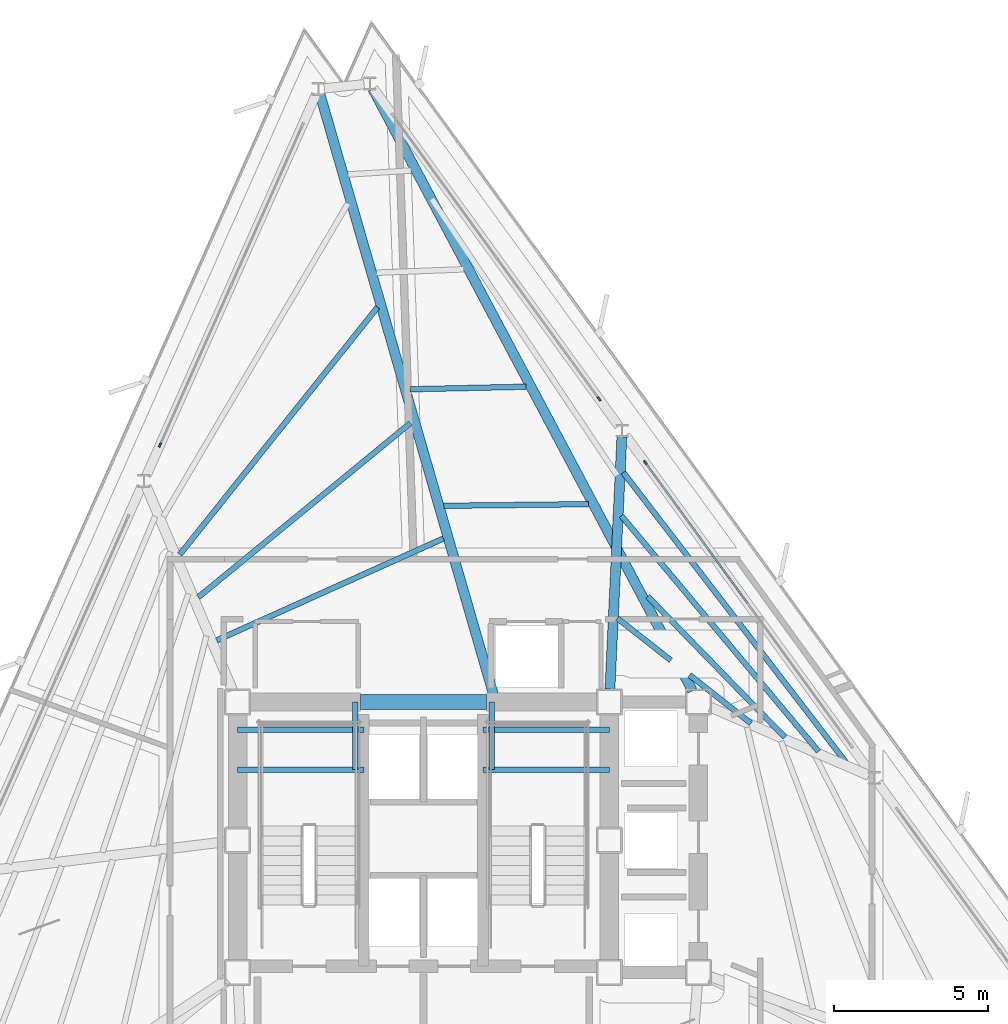
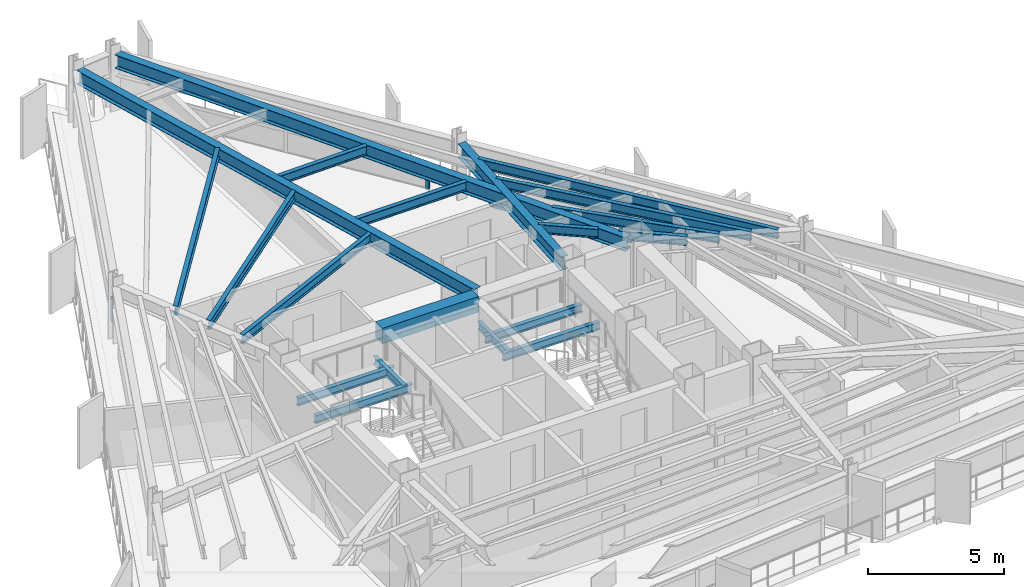
# One storey, part 4 of 13: 20 beams, 5 members, 3 elements without a shape of their own.
"""IFC4 building model written with IfcOpenShell, lengths in metres."""

from ifc_helpers import new_model, si_unit, direction, frame, origin, origin_2d, place, context, subcontext, project, spatial, rectangle, i_section, extrude, material, layer, layer_set, material_profile, profile_set, type_object, element, aggregate, save


model = new_model("IFC4")

# Units and contexts
model_context = context("Model", 3, precision=1e-05, world=origin(), true_north=direction((0.0, 1.0)))
body_context = subcontext(model_context, "Body", "Model", "MODEL_VIEW")
ifc_project = project(units=[si_unit("LENGTHUNIT", "METRE"), si_unit("AREAUNIT", "SQUARE_METRE"), si_unit("VOLUMEUNIT", "CUBIC_METRE"), si_unit("PLANEANGLEUNIT", "RADIAN"), si_unit("MASSUNIT", "GRAM", prefix="KILO")], contexts=[model_context])

# Site, building, storey
site_placement = place(None, origin())
site = spatial("IfcSite", under=ifc_project, at=site_placement, CompositionType="ELEMENT")
building_placement = place(site_placement, origin())
building = spatial("IfcBuilding", under=site, at=building_placement, Name="Rocaltana Carrier Exchange", CompositionType="ELEMENT")
storey_placement = place(building_placement, frame((0.0, 0.0, 122.8798828125)))
storey = spatial("IfcBuildingStorey", under=building, at=storey_placement, Name="L38", CompositionType="ELEMENT", Elevation=122.8798828125)

# Curtain wall, member
ifc_material_1 = material(Name="Aluminium 6063-T6", Category="aluminium")
ifc_layer = layer(ifc_material_1, 0.14990234375)
ifc_layer_set = layer_set([ifc_layer], Name="Aluminium 6063-T6")
curtain_wall_type = type_object("IfcCurtainWallType", Name="Mid-Tower Unitised Curtain Wall CW-03", PredefinedType="NOTDEFINED", material=ifc_layer_set)
curtain_wall_1_placement = place(storey_placement, origin())
curtain_wall_1 = element("IfcCurtainWall", 1, at=curtain_wall_1_placement, inside=storey, type_object=curtain_wall_type, Name="L38 CW-03 Run CW-L38-F1S2", PredefinedType="NOTDEFINED")
ifc_material_2 = material(Name="Aluminium 6063-T6", Category="aluminium")
ifc_material_profile_1 = material_profile(ifc_material_2, rectangle(XDim=0.06005859375, YDim=0.14990234375, at=origin_2d()), Name="AL-60X150")
ifc_profile_set_1 = profile_set([ifc_material_profile_1], Name="Aluminium 6063-T6")
member_type_1 = type_object("IfcMemberType", Name="CW-03 Mullion AL-60X150", PredefinedType="MULLION", material=ifc_profile_set_1)
member_1_placement = place(storey_placement, frame((7.22021484375, 12.29541015625, 0.0), z_axis=(0.0, 0.0, 1.0), x_axis=(-0.809013555195, -0.587789985889, 0.0)))
member_1 = element("IfcMember", 2, at=member_1_placement, type_object=member_type_1, Name="CW-03 mullion 3", PredefinedType="MULLION", context=body_context, shape_type="SweptSolid", body=[
    extrude(rectangle(XDim=0.06005859375, YDim=0.14990234375, at=origin_2d()), origin(), (0.0, 0.0, 1.0), 1.078125),
])

curtain_wall_2_placement = place(storey_placement, origin())
curtain_wall_2 = element("IfcCurtainWall", 3, at=curtain_wall_2_placement, inside=storey, type_object=curtain_wall_type, Name="L38 CW-03 Run CW-L38-F1S3", PredefinedType="NOTDEFINED")
member_2_placement = place(storey_placement, frame((5.715576171875, 14.366455078125, 0.0), z_axis=(0.0, 0.0, 1.0), x_axis=(-0.809013555195, -0.587789985889, 0.0)))
member_2 = element("IfcMember", 4, at=member_2_placement, type_object=member_type_1, Name="CW-03 mullion 1", PredefinedType="MULLION", context=body_context, shape_type="SweptSolid", body=[
    extrude(rectangle(XDim=0.06005859375, YDim=0.14990234375, at=origin_2d()), origin(), (0.0, 0.0, 1.0), 1.078125),
])
aggregate(curtain_wall_2, [member_2])

curtain_wall_3_placement = place(storey_placement, origin())
curtain_wall_3 = element("IfcCurtainWall", 5, at=curtain_wall_3_placement, inside=storey, type_object=curtain_wall_type, Name="L38 CW-03 Run CW-L38-F2S1", PredefinedType="NOTDEFINED")
member_3_placement = place(storey_placement, frame((-8.577392578125, 12.8642578125, 0.0), z_axis=(0.0, 0.0, 1.0), x_axis=(0.913543791084, -0.406740386206, 0.0)))
member_3 = element("IfcMember", 6, at=member_3_placement, type_object=member_type_1, Name="CW-03 mullion 3", PredefinedType="MULLION", context=body_context, shape_type="SweptSolid", body=[
    extrude(rectangle(XDim=0.06005859375, YDim=0.14990234375, at=origin_2d()), origin(), (0.0, 0.0, 1.0), 1.078125),
])
aggregate(curtain_wall_3, [member_3])

# Member
ifc_material_3 = material(Name="Aluminium 6063-T6", Category="aluminium")
ifc_material_profile_2 = material_profile(ifc_material_3, rectangle(XDim=0.06005859375, YDim=0.14990234375, at=origin_2d()), Name="AL-60X150")
ifc_profile_set_2 = profile_set([ifc_material_profile_2], Name="Aluminium 6063-T6")
member_type_2 = type_object("IfcMemberType", Name="CW-03 Transom AL-60X150", PredefinedType="USERDEFINED", material=ifc_profile_set_2)
member_4_placement = place(storey_placement, frame((10.554931640625, 7.70556640625, 0.030029296875), z_axis=(-0.58778321885, 0.809018471753, 0.0), x_axis=(-0.809018471753, -0.58778321885, 0.0)))
member_4 = element("IfcMember", 7, at=member_4_placement, type_object=member_type_2, Name="CW-03 transom 2.1", ObjectType="TRANSOM", PredefinedType="USERDEFINED", context=body_context, shape_type="SweptSolid", body=[
    extrude(rectangle(XDim=0.06005859375, YDim=0.14990234375, at=origin_2d()), origin(), (0.0, 0.0, 1.0), 5.6435546875),
])

member_5_placement = place(storey_placement, frame((10.554931640625, 7.70556640625, 1.048095703125), z_axis=(-0.58778321885, 0.809018471753, 0.0), x_axis=(-0.809018471753, -0.58778321885, 0.0)))
member_5 = element("IfcMember", 8, at=member_5_placement, type_object=member_type_2, Name="CW-03 transom 2.2", ObjectType="TRANSOM", PredefinedType="USERDEFINED", context=body_context, shape_type="SweptSolid", body=[
    extrude(rectangle(XDim=0.06005859375, YDim=0.14990234375, at=origin_2d()), origin(), (0.0, 0.0, 1.0), 5.6435546875),
])

aggregate(curtain_wall_1, [member_1, member_4, member_5])

# Beams
ifc_material_4 = material(Name="Concrete C60/75", Category="concrete")
ifc_material_profile_3 = material_profile(ifc_material_4, rectangle(XDim=0.5, YDim=0.699951171875, at=origin_2d()), Name="RC-BM-500X700")
ifc_profile_set_3 = profile_set([ifc_material_profile_3], Name="Concrete C60/75")
beam_type_1 = type_object("IfcBeamType", Name="Core Coupling Lintel 500x700", PredefinedType="LINTEL", material=ifc_profile_set_3)
beam_1_placement = place(storey_placement, frame((-2.050048828125, 4.5, 2.26806640625), z_axis=(1.0, 0.0, 0.0), x_axis=(0.0, 1.0, 0.0)))
element("IfcBeam", 9, at=beam_1_placement, inside=storey, type_object=beam_type_1, Name="L38 Core Coupling Lintel CL-N", PredefinedType="LINTEL", context=body_context, shape_type="SweptSolid", body=[
    extrude(rectangle(XDim=0.5, YDim=0.699951171875, at=origin_2d()), origin(), (0.0, 0.0, 1.0), 4.10009765625),
])
ifc_material_5 = material(Name="Steel S355", Category="steel")
ifc_material_profile_4 = material_profile(ifc_material_5, i_section(OverallWidth=0.172119140625, OverallDepth=0.35791015625, WebThickness=0.0078125, FlangeThickness=0.01318359375, FilletRadius=0.011962890625, at=origin_2d()), Name="W14X38")
ifc_profile_set_4 = profile_set([ifc_material_profile_4], Name="Steel S355")
beam_type_2 = type_object("IfcBeamType", Name="Floor Joist W14X38", PredefinedType="JOIST", material=ifc_profile_set_4)
for number, where, z_axis, x_axis, name in (
    (10, (-6.050048828125, 2.300048828125, 1.14111328125), (1.0, 0.0, 0.0), (0.0, 1.0, 0.0), "L38 ST-1 Landing Carrier 1"),
    (11, (1.93994140625, 2.300048828125, 1.14111328125), (1.0, 0.0, 0.0), (0.0, 1.0, 0.0), "L38 ST-2 Landing Carrier 1"),
    (12, (-6.050048828125, 3.60009765625, 1.14111328125), (1.0, 0.0, 0.0), (0.0, 1.0, 0.0), "L38 ST-1 Landing Carrier 2"),
    (13, (1.93994140625, 3.60009765625, 1.14111328125), (1.0, 0.0, 0.0), (0.0, 1.0, 0.0), "L38 ST-2 Landing Carrier 2"),
):
    element("IfcBeam", number, at=place(storey_placement, frame(where, z_axis=z_axis, x_axis=x_axis)), inside=storey, type_object=beam_type_2, Name=name, PredefinedType="JOIST", context=body_context, shape_type="SweptSolid", body=[
        extrude(i_section(OverallWidth=0.172119140625, OverallDepth=0.35791015625, WebThickness=0.0078125, FlangeThickness=0.01318359375, FilletRadius=0.011962890625, at=origin_2d()), origin(), (0.0, 0.0, 1.0), 4.110107421875),
    ])
for number, where, z_axis, x_axis, name in (
    (14, (-2.219970703125, 2.300048828125, 1.14111328125), (0.0, 1.0, 0.0), (-1.0, 0.0, 0.0), "L38 ST-1 Landing Cross Trimmer"),
    (15, (2.219970703125, 2.300048828125, 1.14111328125), (0.0, 1.0, 0.0), (-1.0, 0.0, 0.0), "L38 ST-2 Landing Cross Trimmer"),
):
    element("IfcBeam", number, at=place(storey_placement, frame(where, z_axis=z_axis, x_axis=x_axis)), inside=storey, type_object=beam_type_2, Name=name, PredefinedType="JOIST", context=body_context, shape_type="SweptSolid", body=[
        extrude(i_section(OverallWidth=0.172119140625, OverallDepth=0.35791015625, WebThickness=0.0078125, FlangeThickness=0.01318359375, FilletRadius=0.011962890625, at=origin_2d()), origin(), (0.0, 0.0, 1.0), 2.199951171875),
    ])
ifc_material_6 = material(Name="Steel S355", Category="steel")
ifc_material_profile_5 = material_profile(ifc_material_6, i_section(OverallWidth=0.179931640625, OverallDepth=0.4130859375, WebThickness=0.009765625, FlangeThickness=0.01611328125, FilletRadius=0.012939453125, at=origin_2d()), Name="W16X50")
ifc_profile_set_5 = profile_set([ifc_material_profile_5], Name="Steel S355")
beam_type_3 = type_object("IfcBeamType", Name="Floor Joist W16X50", PredefinedType="JOIST", material=ifc_profile_set_5)
beam_2_placement = place(storey_placement, frame((10.66015625, 3.806640625, 2.41162109375), z_axis=(-0.786171683664, 0.618008158365, 0.0), x_axis=(-0.618008158365, -0.786171683664, 0.0)))
element("IfcBeam", 16, at=beam_2_placement, inside=storey, type_object=beam_type_3, Name="FJ-L38-02-1S1", PredefinedType="JOIST", context=body_context, shape_type="SweptSolid", body=[
    extrude(i_section(OverallWidth=0.179931640625, OverallDepth=0.4130859375, WebThickness=0.009765625, FlangeThickness=0.01611328125, FilletRadius=0.012939453125, at=origin_2d()), origin(), (0.0, 0.0, 1.0), 2.5419921875),
])
beam_3_placement = place(storey_placement, frame((8.051025390625, 5.85791015625, 2.41162109375), z_axis=(-0.786142704991, 0.61804502052, 0.0), x_axis=(-0.61804502052, -0.786142704991, 0.0)))
element("IfcBeam", 17, at=beam_3_placement, inside=storey, type_object=beam_type_3, Name="FJ-L38-02-1S2", PredefinedType="JOIST", context=body_context, shape_type="SweptSolid", body=[
    extrude(i_section(OverallWidth=0.179931640625, OverallDepth=0.4130859375, WebThickness=0.009765625, FlangeThickness=0.01611328125, FilletRadius=0.012939453125, at=origin_2d()), origin(), (0.0, 0.0, 1.0), 2.21923828125),
])
beam_4_placement = place(storey_placement, frame((11.76220703125, 3.35302734375, 2.41162109375), z_axis=(-0.697417522087, 0.716665054182, 0.0), x_axis=(-0.716665054182, -0.697417522087, 0.0)))
element("IfcBeam", 18, at=beam_4_placement, inside=storey, type_object=beam_type_3, Name="FJ-L38-02-2", PredefinedType="JOIST", context=body_context, shape_type="SweptSolid", body=[
    extrude(i_section(OverallWidth=0.179931640625, OverallDepth=0.4130859375, WebThickness=0.009765625, FlangeThickness=0.01611328125, FilletRadius=0.012939453125, at=origin_2d()), origin(), (0.0, 0.0, 1.0), 6.392822265625),
])
beam_5_placement = place(storey_placement, frame((12.85888671875, 2.891845703125, 2.41162109375), z_axis=(-0.641626502417, 0.767017230182, 0.0), x_axis=(-0.767017230182, -0.641626502417, 0.0)))
element("IfcBeam", 19, at=beam_5_placement, inside=storey, type_object=beam_type_3, Name="FJ-L38-02-3", PredefinedType="JOIST", context=body_context, shape_type="SweptSolid", body=[
    extrude(i_section(OverallWidth=0.179931640625, OverallDepth=0.4130859375, WebThickness=0.009765625, FlangeThickness=0.01611328125, FilletRadius=0.012939453125, at=origin_2d()), origin(), (0.0, 0.0, 1.0), 10.0),
])
beam_6_placement = place(storey_placement, frame((13.7802734375, 2.5009765625, 2.41162109375), z_axis=(-0.60925224181, 0.792976485054, 0.0), x_axis=(-0.792976485054, -0.60925224181, 0.0)))
element("IfcBeam", 20, at=beam_6_placement, inside=storey, type_object=beam_type_3, Name="FJ-L38-02-4", PredefinedType="JOIST", context=body_context, shape_type="SweptSolid", body=[
    extrude(i_section(OverallWidth=0.179931640625, OverallDepth=0.4130859375, WebThickness=0.009765625, FlangeThickness=0.01611328125, FilletRadius=0.012939453125, at=origin_2d()), origin(), (0.0, 0.0, 1.0), 11.9423828125),
])
beam_7_placement = place(storey_placement, frame((5.372802734375, 10.93994140625, 2.41162109375), z_axis=(-0.999937391673, -0.01118984958, 0.0), x_axis=(0.01118984958, -0.999937391673, 0.0)))
element("IfcBeam", 21, at=beam_7_placement, inside=storey, type_object=beam_type_3, Name="FJ-L38-04-1", PredefinedType="JOIST", context=body_context, shape_type="SweptSolid", body=[
    extrude(i_section(OverallWidth=0.179931640625, OverallDepth=0.4130859375, WebThickness=0.009765625, FlangeThickness=0.01611328125, FilletRadius=0.012939453125, at=origin_2d()), origin(), (0.0, 0.0, 1.0), 4.712646484375),
])
beam_8_placement = place(storey_placement, frame((3.34130859375, 14.762939453125, 2.41162109375), z_axis=(-0.999758539531, -0.02197413559, 0.0), x_axis=(0.02197413559, -0.999758539531, 0.0)))
element("IfcBeam", 22, at=beam_8_placement, inside=storey, type_object=beam_type_3, Name="FJ-L38-04-2", PredefinedType="JOIST", context=body_context, shape_type="SweptSolid", body=[
    extrude(i_section(OverallWidth=0.179931640625, OverallDepth=0.4130859375, WebThickness=0.009765625, FlangeThickness=0.01611328125, FilletRadius=0.012939453125, at=origin_2d()), origin(), (0.0, 0.0, 1.0), 3.777587890625),
])
beam_9_placement = place(storey_placement, frame((0.650390625, 9.82373046875, 2.41162109375), z_axis=(-0.912122924313, -0.409916785388, 0.0), x_axis=(0.409916785388, -0.912122924313, 0.0)))
element("IfcBeam", 23, at=beam_9_placement, inside=storey, type_object=beam_type_3, Name="FJ-L38-05-1", PredefinedType="JOIST", context=body_context, shape_type="SweptSolid", body=[
    extrude(i_section(OverallWidth=0.179931640625, OverallDepth=0.4130859375, WebThickness=0.009765625, FlangeThickness=0.01611328125, FilletRadius=0.012939453125, at=origin_2d()), origin(), (0.0, 0.0, 1.0), 8.09228515625),
])
beam_10_placement = place(storey_placement, frame((-0.423583984375, 13.579833984375, 2.41162109375), z_axis=(-0.772904703417, -0.634522118949, 0.0), x_axis=(0.634522118949, -0.772904703417, 0.0)))
element("IfcBeam", 24, at=beam_10_placement, inside=storey, type_object=beam_type_3, Name="FJ-L38-05-2", PredefinedType="JOIST", context=body_context, shape_type="SweptSolid", body=[
    extrude(i_section(OverallWidth=0.179931640625, OverallDepth=0.4130859375, WebThickness=0.009765625, FlangeThickness=0.01611328125, FilletRadius=0.012939453125, at=origin_2d()), origin(), (0.0, 0.0, 1.0), 8.937744140625),
])
beam_11_placement = place(storey_placement, frame((-1.49609375, 17.348388671875, 2.41162109375), z_axis=(-0.624570833633, -0.78096816438, 0.0), x_axis=(0.78096816438, -0.624570833633, 0.0)))
element("IfcBeam", 25, at=beam_11_placement, inside=storey, type_object=beam_type_3, Name="FJ-L38-05-3", PredefinedType="JOIST", context=body_context, shape_type="SweptSolid", body=[
    extrude(i_section(OverallWidth=0.179931640625, OverallDepth=0.4130859375, WebThickness=0.009765625, FlangeThickness=0.01611328125, FilletRadius=0.012939453125, at=origin_2d()), origin(), (0.0, 0.0, 1.0), 10.307373046875),
])
ifc_material_7 = material(Name="Steel S355", Category="steel")
ifc_material_profile_6 = material_profile(ifc_material_7, i_section(OverallWidth=0.323974609375, OverallDepth=0.611083984375, WebThickness=0.0126953125, FlangeThickness=0.01904296875, FilletRadius=0.01611328125, at=origin_2d()), Name="W24X104")
ifc_profile_set_6 = profile_set([ifc_material_profile_6], Name="Steel S355")
beam_type_4 = type_object("IfcBeamType", Name="Radial Girder W24X104", PredefinedType="BEAM", material=ifc_profile_set_6)
beam_12_placement = place(storey_placement, frame((6.069580078125, 4.91650390625, 2.3125), z_axis=(0.047262084461, 0.998882523309, 0.0), x_axis=(-0.998882523309, 0.047262084461, 0.0)))
element("IfcBeam", 26, at=beam_12_placement, inside=storey, type_object=beam_type_4, Name="RG-L38-03", PredefinedType="BEAM", context=body_context, shape_type="SweptSolid", body=[
    extrude(i_section(OverallWidth=0.323974609375, OverallDepth=0.611083984375, WebThickness=0.0126953125, FlangeThickness=0.01904296875, FilletRadius=0.01611328125, at=origin_2d()), origin(), (0.0, 0.0, 1.0), 8.22900390625),
])
beam_13_placement = place(storey_placement, frame((8.75439453125, 4.868408203125, 2.3125), z_axis=(-0.469069652013, 0.883161175302, 0.0), x_axis=(-0.883161175302, -0.469069652013, 0.0)))
element("IfcBeam", 27, at=beam_13_placement, inside=storey, type_object=beam_type_4, Name="RG-L38-04", PredefinedType="BEAM", context=body_context, shape_type="SweptSolid", body=[
    extrude(i_section(OverallWidth=0.323974609375, OverallDepth=0.611083984375, WebThickness=0.0126953125, FlangeThickness=0.01904296875, FilletRadius=0.01611328125, at=origin_2d()), origin(), (0.0, 0.0, 1.0), 22.18115234375),
])
beam_14_placement = place(storey_placement, frame((2.28271484375, 4.732421875, 2.3125), z_axis=(-0.277663026664, 0.960678532926, 0.0), x_axis=(-0.960678532926, -0.277663026664, 0.0)))
element("IfcBeam", 28, at=beam_14_placement, inside=storey, type_object=beam_type_4, Name="RG-L38-05", PredefinedType="BEAM", context=body_context, shape_type="SweptSolid", body=[
    extrude(i_section(OverallWidth=0.323974609375, OverallDepth=0.611083984375, WebThickness=0.0126953125, FlangeThickness=0.01904296875, FilletRadius=0.01611328125, at=origin_2d()), origin(), (0.0, 0.0, 1.0), 20.333984375),
])

save(model, "model.ifc")
